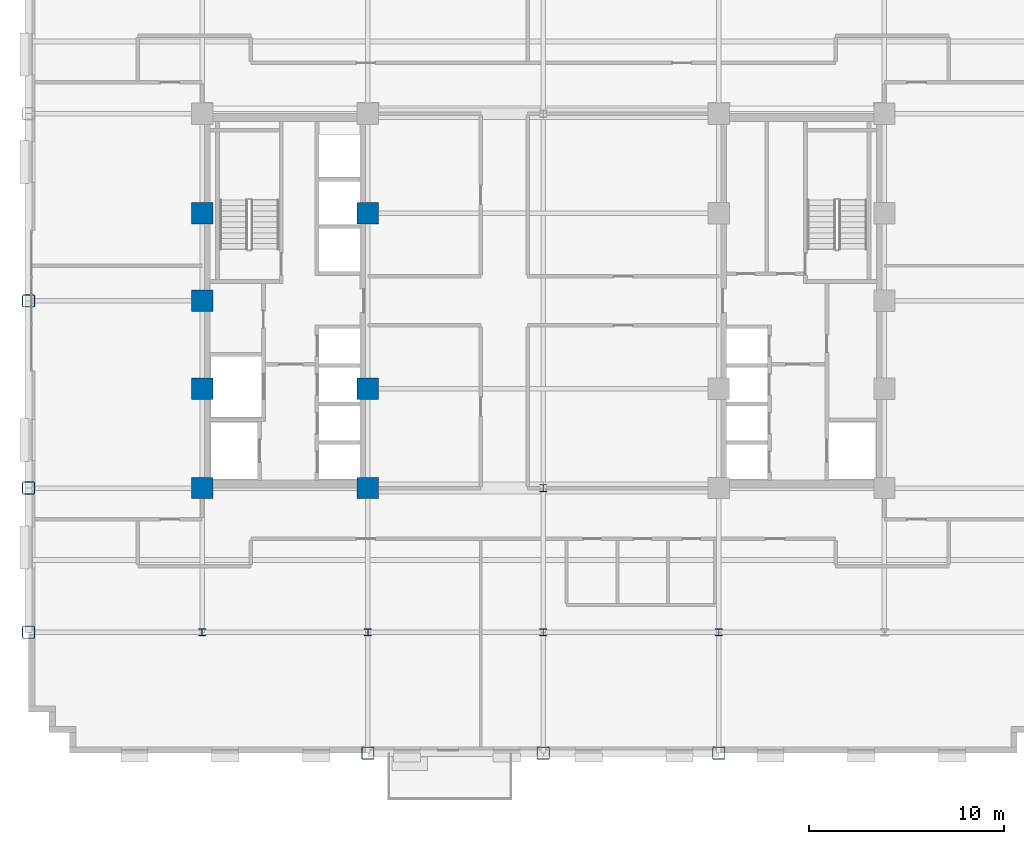
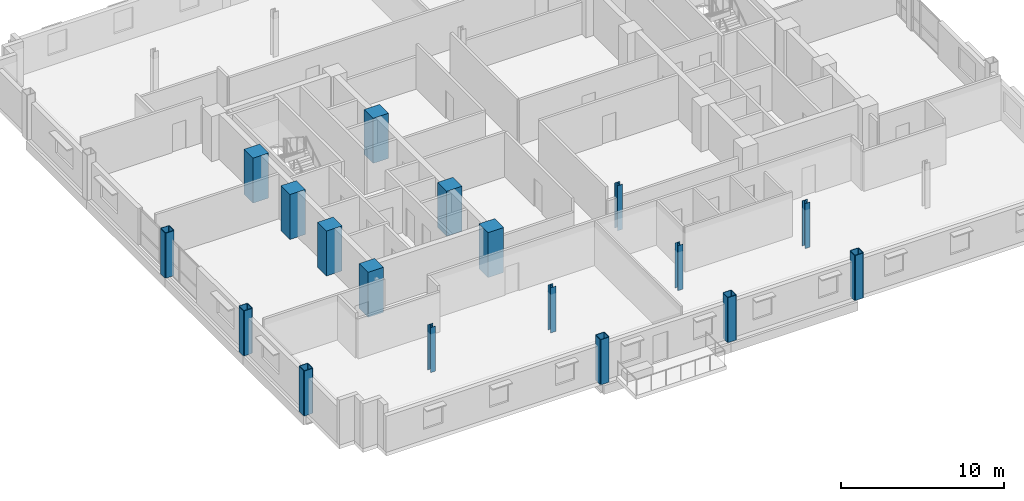
# One storey, part 1 of 17: 18 columns.
"""IFC4 building model written with IfcOpenShell, lengths in metres."""

from ifc_helpers import new_model, si_unit, direction, frame, origin, origin_2d, place, context, subcontext, project, spatial, rectangle, hollow_rectangle, i_section, extrude, material, material_profile, profile_set, type_object, element, save


model = new_model("IFC4")

# Units and contexts
model_context = context("Model", 3, precision=1e-05, world=origin(), true_north=direction((0.0, 1.0)))
body_context = subcontext(model_context, "Body", "Model", "MODEL_VIEW")
ifc_project = project(units=[si_unit("LENGTHUNIT", "METRE"), si_unit("AREAUNIT", "SQUARE_METRE"), si_unit("VOLUMEUNIT", "CUBIC_METRE"), si_unit("PLANEANGLEUNIT", "RADIAN"), si_unit("MASSUNIT", "GRAM", prefix="KILO")], contexts=[model_context])

# Site, building, storey
site_placement = place(None, origin())
site = spatial("IfcSite", under=ifc_project, at=site_placement, CompositionType="ELEMENT")
building_placement = place(site_placement, origin())
building = spatial("IfcBuilding", under=site, at=building_placement, Name="Nuvemarco Arch Tower", CompositionType="ELEMENT")
storey_placement = place(building_placement, frame((0.0, 0.0, 120.199951171875)))
storey = spatial("IfcBuildingStorey", under=building, at=storey_placement, Name="L31", CompositionType="ELEMENT", Elevation=120.199951171875)

# Columns
ifc_material_1 = material(Name="Concrete C60/75", Category="concrete")
ifc_material_profile_1 = material_profile(ifc_material_1, rectangle(XDim=1.10009765625, YDim=1.10009765625, at=origin_2d()), Name="RC-COL-1100x1100")
ifc_profile_set_1 = profile_set([ifc_material_profile_1], Name="Concrete C60/75")
column_type_1 = type_object("IfcColumnType", Name="COL-CORE-1100", PredefinedType="COLUMN", material=ifc_profile_set_1)
for number, where, z_axis, x_axis, name in (
    (1, (-17.5, -9.60009765625, 0.0), (0.0, 0.0, 1.0), (1.0, 0.0, 0.0), "L31 column CC_-17.5_-9.6"),
    (2, (-17.5, -4.5, 0.0), (0.0, 0.0, 1.0), (1.0, 0.0, 0.0), "L31 column CC_-17.5_-4.5"),
    (3, (-17.5, 4.5, 0.0), (0.0, 0.0, 1.0), (1.0, 0.0, 0.0), "L31 column CC_-17.5_+4.5"),
    (4, (-9.0, -9.60009765625, 0.0), (0.0, 0.0, 1.0), (1.0, 0.0, 0.0), "L31 column CC_-9.0_-9.6"),
    (5, (-9.0, -4.5, 0.0), (0.0, 0.0, 1.0), (1.0, 0.0, 0.0), "L31 column CC_-9.0_-4.5"),
    (6, (-9.0, 4.5, 0.0), (0.0, 0.0, 1.0), (1.0, 0.0, 0.0), "L31 column CC_-9.0_+4.5"),
    (7, (-17.5, 0.0, 0.0), (0.0, 0.0, 1.0), (1.0, 0.0, 0.0), "L31 column CC_-17.5_+0.0"),
):
    element("IfcColumn", number, at=place(storey_placement, frame(where, z_axis=z_axis, x_axis=x_axis)), inside=storey, type_object=column_type_1, Name=name, PredefinedType="COLUMN", context=body_context, shape_type="SweptSolid", body=[
        extrude(rectangle(XDim=1.10009765625, YDim=1.10009765625, at=origin_2d()), origin(), (0.0, 0.0, 1.0), 3.3701171875),
    ])
ifc_material_2 = material(Name="Steel S355", Category="steel")
ifc_material_profile_2 = material_profile(ifc_material_2, hollow_rectangle(XDim=0.64990234375, YDim=0.64990234375, WallThickness=0.0400390625, InnerFilletRadius=0.0400390625, OuterFilletRadius=0.080078125, at=origin_2d()), Name="SHS650x650x40")
ifc_profile_set_2 = profile_set([ifc_material_profile_2], Name="Steel S355")
column_type_2 = type_object("IfcColumnType", Name="COL-EXO-650", PredefinedType="COLUMN", material=ifc_profile_set_2)
for number, where, z_axis, x_axis, name in (
    (8, (-26.39990234375, -17.0, 0.0), (0.0, 0.0, 1.0), (1.0, 0.0, 0.0), "L31 column CX_-26.4_-17.0"),
    (9, (-26.39990234375, -9.60009765625, 0.0), (0.0, 0.0, 1.0), (1.0, 0.0, 0.0), "L31 column CX_-26.4_-9.6"),
    (10, (-26.39990234375, 0.0, 0.0), (0.0, 0.0, 1.0), (1.0, 0.0, 0.0), "L31 column CX_-26.4_+0.0"),
    (11, (-9.0, -23.199951171875, 0.0), (0.0, 0.0, 1.0), (1.0, 0.0, 0.0), "L31 column CY_-9.0_-23.2"),
    (12, (0.0, -23.199951171875, 0.0), (0.0, 0.0, 1.0), (1.0, 0.0, 0.0), "L31 column CY_+0.0_-23.2"),
    (13, (9.0, -23.199951171875, 0.0), (0.0, 0.0, 1.0), (1.0, 0.0, 0.0), "L31 column CY_+9.0_-23.2"),
):
    element("IfcColumn", number, at=place(storey_placement, frame(where, z_axis=z_axis, x_axis=x_axis)), inside=storey, type_object=column_type_2, Name=name, PredefinedType="COLUMN", context=body_context, shape_type="SweptSolid", body=[
        extrude(hollow_rectangle(XDim=0.64990234375, YDim=0.64990234375, WallThickness=0.0400390625, InnerFilletRadius=0.0400390625, OuterFilletRadius=0.080078125, at=origin_2d()), origin(), (0.0, 0.0, 1.0), 3.3701171875),
    ])
ifc_material_profile_3 = material_profile(ifc_material_2, i_section(OverallWidth=0.360107421875, OverallDepth=0.360107421875, WebThickness=0.0205078125, FlangeThickness=0.0205078125, FilletRadius=0.01806640625, at=origin_2d()), Name="HP360x174")
ifc_profile_set_3 = profile_set([ifc_material_profile_3], Name="Steel S355")
column_type_3 = type_object("IfcColumnType", Name="COL-STL-HP360", PredefinedType="COLUMN", material=ifc_profile_set_3)
for number, where, z_axis, x_axis, name in (
    (14, (0.0, -17.0, 0.0), (0.0, 0.0, 1.0), (1.0, 0.0, 0.0), "L31 column CI_+0.0_-17.0"),
    (15, (0.0, -9.60009765625, 0.0), (0.0, 0.0, 1.0), (1.0, 0.0, 0.0), "L31 column CI_+0.0_-9.6"),
    (16, (-17.5, -17.0, 0.0), (0.0, 0.0, 1.0), (1.0, 0.0, 0.0), "L31 column CI_-17.5_-17.0"),
    (17, (-9.0, -17.0, 0.0), (0.0, 0.0, 1.0), (1.0, 0.0, 0.0), "L31 column CI_-9.0_-17.0"),
    (18, (9.0, -17.0, 0.0), (0.0, 0.0, 1.0), (1.0, 0.0, 0.0), "L31 column CI_+9.0_-17.0"),
):
    element("IfcColumn", number, at=place(storey_placement, frame(where, z_axis=z_axis, x_axis=x_axis)), inside=storey, type_object=column_type_3, Name=name, PredefinedType="COLUMN", context=body_context, shape_type="SweptSolid", body=[
        extrude(i_section(OverallWidth=0.360107421875, OverallDepth=0.360107421875, WebThickness=0.0205078125, FlangeThickness=0.0205078125, FilletRadius=0.01806640625, at=origin_2d()), origin(), (0.0, 0.0, 1.0), 3.3701171875),
    ])

save(model, "model.ifc")
